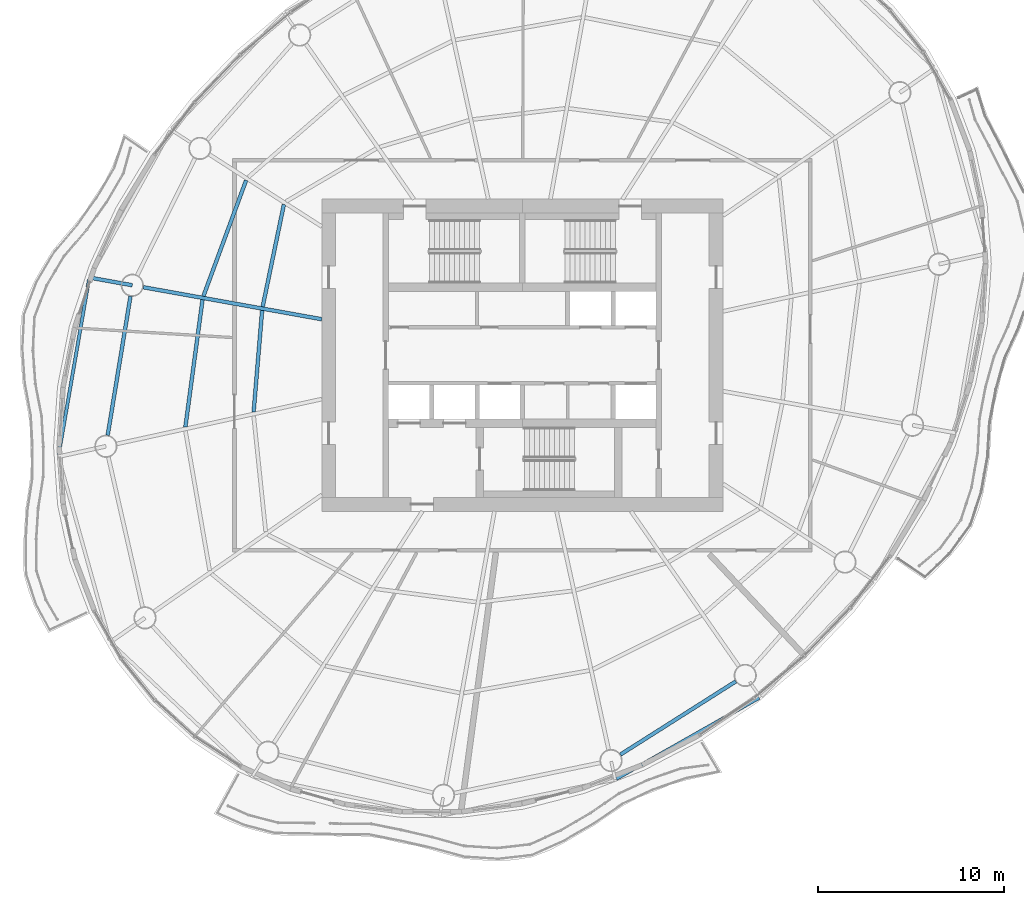
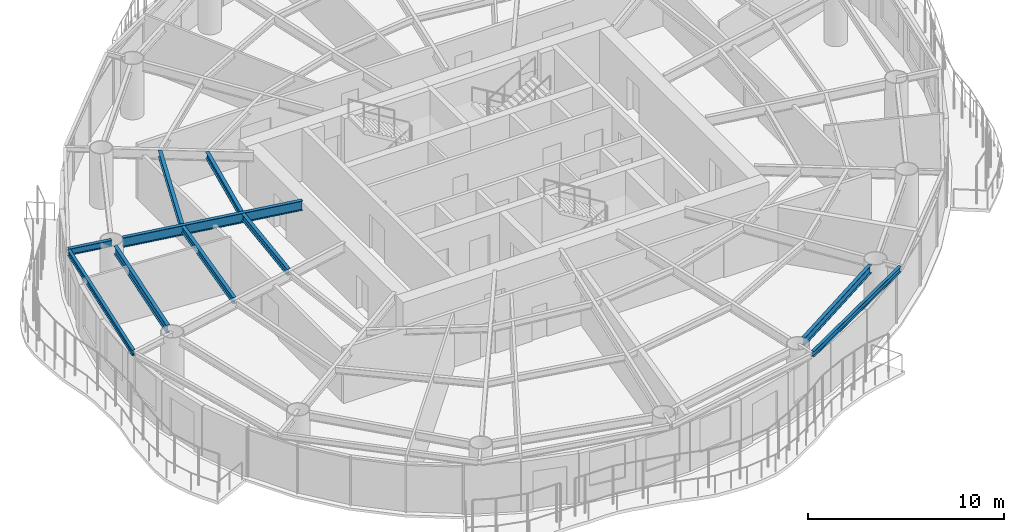
# One storey, part 3 of 14: 10 beams.
"""IFC4 building model written with IfcOpenShell, lengths in metres."""

from ifc_helpers import new_model, si_unit, direction, frame, origin, origin_2d, place, context, subcontext, project, spatial, i_section, extrude, material, material_profile, profile_set, type_object, element, save


model = new_model("IFC4")

# Units and contexts
model_context = context("Model", 3, precision=1e-05, world=origin(), true_north=direction((0.0, 1.0)))
body_context = subcontext(model_context, "Body", "Model", "MODEL_VIEW")
ifc_project = project(units=[si_unit("LENGTHUNIT", "METRE"), si_unit("AREAUNIT", "SQUARE_METRE"), si_unit("VOLUMEUNIT", "CUBIC_METRE"), si_unit("PLANEANGLEUNIT", "RADIAN"), si_unit("MASSUNIT", "GRAM", prefix="KILO")], contexts=[model_context])

# Site, building, storey
site_placement = place(None, origin())
site = spatial("IfcSite", under=ifc_project, at=site_placement, CompositionType="ELEMENT")
building_placement = place(site_placement, origin())
building = spatial("IfcBuilding", under=site, at=building_placement, Name="Vermilion Reach Broadcast Tower", CompositionType="ELEMENT")
storey_placement = place(building_placement, frame((0.0, 0.0, 206.5)))
storey = spatial("IfcBuildingStorey", under=building, at=storey_placement, Name="L50", CompositionType="ELEMENT", Elevation=206.5)

# Beams
ifc_material_1 = material(Name="Steel S355J2", Category="steel")
ifc_material_profile_1 = material_profile(ifc_material_1, i_section(OverallWidth=0.175048828125, OverallDepth=0.35009765625, WebThickness=0.007080078125, FlangeThickness=0.010986328125, at=origin_2d()), Name="S355J2 HN 350x175x7x11")
ifc_profile_set_1 = profile_set([ifc_material_profile_1], Name="Steel S355J2")
beam_type_1 = type_object("IfcBeamType", Name="EB4 HN 350x175x7x11", PredefinedType="BEAM", material=ifc_profile_set_1)
beam_1_placement = place(storey_placement, frame((-29.333740234375, 4.084228515625, 3.27490234375), z_axis=(-0.170285869917, -0.985394703916, 0.0), x_axis=(0.985394703916, -0.170285869917, 0.0)))
element("IfcBeam", 1, at=beam_1_placement, inside=storey, type_object=beam_type_1, Name="Edge beam EB4-06", PredefinedType="BEAM", context=body_context, shape_type="SweptSolid", body=[
    extrude(i_section(OverallWidth=0.175048828125, OverallDepth=0.35009765625, WebThickness=0.007080078125, FlangeThickness=0.010986328125, at=origin_2d()), origin(), (0.0, 0.0, 1.0), 9.57861328125),
])
beam_2_placement = place(storey_placement, frame((-0.938232421875, -22.8056640625, 3.27490234375), z_axis=(0.869659937039, 0.493651287762, 0.0), x_axis=(-0.493651287762, 0.869659937039, 0.0)))
element("IfcBeam", 2, at=beam_2_placement, inside=storey, type_object=beam_type_1, Name="Edge beam EB4-11", PredefinedType="BEAM", context=body_context, shape_type="SweptSolid", body=[
    extrude(i_section(OverallWidth=0.175048828125, OverallDepth=0.35009765625, WebThickness=0.007080078125, FlangeThickness=0.010986328125, at=origin_2d()), origin(), (0.0, 0.0, 1.0), 8.832275390625),
])
ifc_material_2 = material(Name="Steel S355J2", Category="steel")
ifc_material_profile_2 = material_profile(ifc_material_2, i_section(OverallWidth=0.199951171875, OverallDepth=0.60009765625, WebThickness=0.010986328125, FlangeThickness=0.01708984375, at=origin_2d()), Name="S355J2 HN 600x200x11x17")
ifc_profile_set_2 = profile_set([ifc_material_profile_2], Name="Steel S355J2")
beam_type_2 = type_object("IfcBeamType", Name="G4 HN 600x200x11x17", PredefinedType="BEAM", material=ifc_profile_set_2)
beam_3_placement = place(storey_placement, frame((-16.800048828125, 1.9375, 3.14990234375), z_axis=(-0.984291153273, 0.176552897422, 0.0), x_axis=(-0.176552897422, -0.984291153273, 0.0)))
element("IfcBeam", 3, at=beam_3_placement, inside=storey, type_object=beam_type_2, Name="Girder G4-06", PredefinedType="BEAM", context=body_context, shape_type="SweptSolid", body=[
    extrude(i_section(OverallWidth=0.199951171875, OverallDepth=0.60009765625, WebThickness=0.010986328125, FlangeThickness=0.01708984375, at=origin_2d()), origin(), (0.0, 0.0, 1.0), 9.765380859375),
])
ifc_material_3 = material(Name="Steel S355J2", Category="steel")
ifc_material_profile_3 = material_profile(ifc_material_3, i_section(OverallWidth=0.199951171875, OverallDepth=0.39990234375, WebThickness=0.008056640625, FlangeThickness=0.012939453125, at=origin_2d()), Name="S355J2 HN 400x200x8x13")
ifc_profile_set_3 = profile_set([ifc_material_profile_3], Name="Steel S355J2")
beam_type_3 = type_object("IfcBeamType", Name="GC4 HN 400x200x8x13", PredefinedType="BEAM", material=ifc_profile_set_3)
beam_4_placement = place(storey_placement, frame((-27.002685546875, 3.767578125, 3.25), z_axis=(-0.984277687921, 0.17662795096, 0.0), x_axis=(-0.17662795096, -0.984277687921, 0.0)))
element("IfcBeam", 4, at=beam_4_placement, inside=storey, type_object=beam_type_3, Name="Cantilever girder GC4-06", PredefinedType="BEAM", context=body_context, shape_type="SweptSolid", body=[
    extrude(i_section(OverallWidth=0.199951171875, OverallDepth=0.39990234375, WebThickness=0.008056640625, FlangeThickness=0.012939453125, at=origin_2d()), origin(), (0.0, 0.0, 1.0), 2.35107421875),
])
ifc_material_4 = material(Name="Steel S355J2", Category="steel")
ifc_material_profile_4 = material_profile(ifc_material_4, i_section(OverallWidth=0.199951171875, OverallDepth=0.5, WebThickness=0.010009765625, FlangeThickness=0.01611328125, at=origin_2d()), Name="S355J2 HN 500x200x10x16")
ifc_profile_set_4 = profile_set([ifc_material_profile_4], Name="Steel S355J2")
beam_type_4 = type_object("IfcBeamType", Name="RB4 HN 500x200x10x16", PredefinedType="BEAM", material=ifc_profile_set_4)
beam_5_placement = place(storey_placement, frame((-27.099609375, 3.175537109375, 3.199951171875), z_axis=(-0.161778110263, -0.986827159659, 0.0), x_axis=(0.986827159659, -0.161778110263, 0.0)))
element("IfcBeam", 5, at=beam_5_placement, inside=storey, type_object=beam_type_4, Name="Ring beam RB4-06", PredefinedType="BEAM", context=body_context, shape_type="SweptSolid", body=[
    extrude(i_section(OverallWidth=0.199951171875, OverallDepth=0.5, WebThickness=0.010009765625, FlangeThickness=0.01611328125, at=origin_2d()), origin(), (0.0, 0.0, 1.0), 7.584716796875),
])
beam_6_placement = place(storey_placement, frame((-0.72412109375, -21.497314453125, 3.199951171875), z_axis=(0.84446426774, 0.535611893549, 0.0), x_axis=(-0.535611893549, 0.84446426774, 0.0)))
element("IfcBeam", 6, at=beam_6_placement, inside=storey, type_object=beam_type_4, Name="Ring beam RB4-11", PredefinedType="BEAM", context=body_context, shape_type="SweptSolid", body=[
    extrude(i_section(OverallWidth=0.199951171875, OverallDepth=0.5, WebThickness=0.010009765625, FlangeThickness=0.01611328125, at=origin_2d()), origin(), (0.0, 0.0, 1.0), 7.3544921875),
])
ifc_material_5 = material(Name="Steel S355J2", Category="steel")
ifc_material_profile_5 = material_profile(ifc_material_5, i_section(OverallWidth=0.199951171875, OverallDepth=0.39990234375, WebThickness=0.008056640625, FlangeThickness=0.012939453125, at=origin_2d()), Name="S355J2 HN 400x200x8x13")
ifc_profile_set_5 = profile_set([ifc_material_profile_5], Name="Steel S355J2")
beam_type_5 = type_object("IfcBeamType", Name="SB4 HN 400x200x8x13", PredefinedType="BEAM", material=ifc_profile_set_5)
beam_7_placement = place(storey_placement, frame((-18.841064453125, 8.115478515625, 3.25), z_axis=(-0.20320860258, -0.979135467562, 0.0), x_axis=(0.979135467562, -0.20320860258, 0.0)))
element("IfcBeam", 7, at=beam_7_placement, inside=storey, type_object=beam_type_5, Name="Secondary beam SB4-05-1", PredefinedType="BEAM", context=body_context, shape_type="SweptSolid", body=[
    extrude(i_section(OverallWidth=0.199951171875, OverallDepth=0.39990234375, WebThickness=0.008056640625, FlangeThickness=0.012939453125, at=origin_2d()), origin(), (0.0, 0.0, 1.0), 5.622802734375),
])
beam_8_placement = place(storey_placement, frame((-20.8740234375, 9.419189453125, 3.25), z_axis=(-0.345833008621, -0.938296078084, 0.0), x_axis=(0.938296078084, -0.345833008621, 0.0)))
element("IfcBeam", 8, at=beam_8_placement, inside=storey, type_object=beam_type_5, Name="Secondary beam SB4-05-2", PredefinedType="BEAM", context=body_context, shape_type="SweptSolid", body=[
    extrude(i_section(OverallWidth=0.199951171875, OverallDepth=0.39990234375, WebThickness=0.008056640625, FlangeThickness=0.012939453125, at=origin_2d()), origin(), (0.0, 0.0, 1.0), 6.647216796875),
])
beam_9_placement = place(storey_placement, frame((-20.012451171875, 2.412109375, 3.25), z_axis=(-0.08339866655, -0.996516262997, 0.0), x_axis=(0.996516262997, -0.08339866655, 0.0)))
element("IfcBeam", 9, at=beam_9_placement, inside=storey, type_object=beam_type_5, Name="Secondary beam SB4-06-1", PredefinedType="BEAM", context=body_context, shape_type="SweptSolid", body=[
    extrude(i_section(OverallWidth=0.199951171875, OverallDepth=0.39990234375, WebThickness=0.008056640625, FlangeThickness=0.012939453125, at=origin_2d()), origin(), (0.0, 0.0, 1.0), 5.49169921875),
])
beam_10_placement = place(storey_placement, frame((-23.221435546875, 2.98779296875, 3.25), z_axis=(-0.133486718782, -0.991050602093, 0.0), x_axis=(0.991050602093, -0.133486718782, 0.0)))
element("IfcBeam", 10, at=beam_10_placement, inside=storey, type_object=beam_type_5, Name="Secondary beam SB4-06-2", PredefinedType="BEAM", context=body_context, shape_type="SweptSolid", body=[
    extrude(i_section(OverallWidth=0.199951171875, OverallDepth=0.39990234375, WebThickness=0.008056640625, FlangeThickness=0.012939453125, at=origin_2d()), origin(), (0.0, 0.0, 1.0), 6.913330078125),
])

save(model, "model.ifc")
